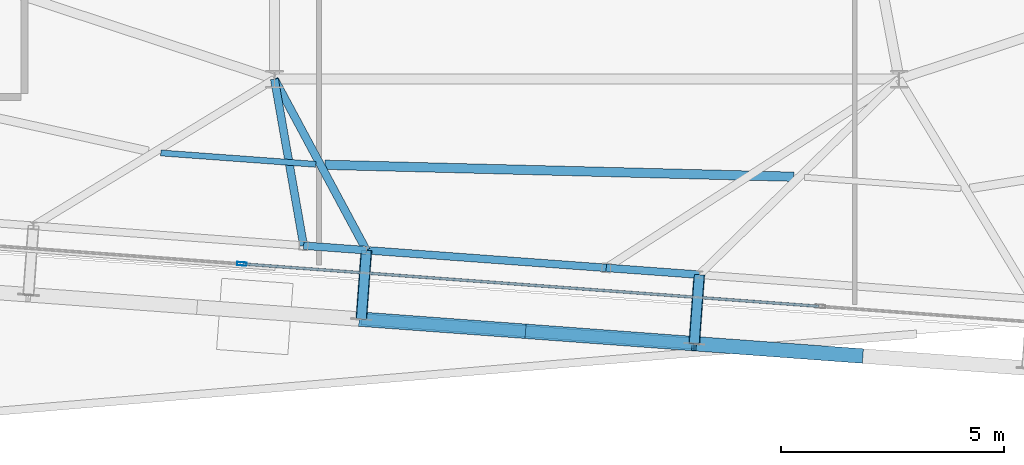
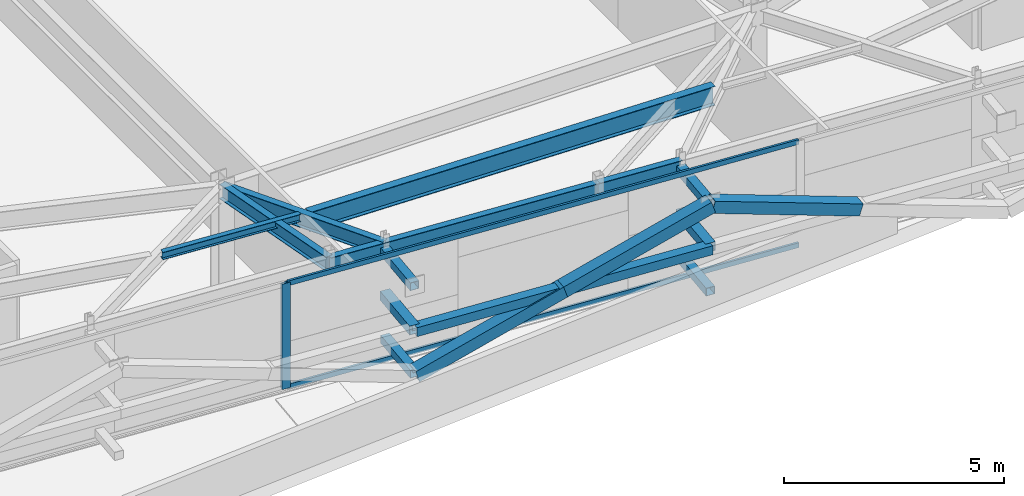
# One storey, part 11 of 37: 13 members, 7 beams, 1 element without a shape of its own.
"""IFC4 building model written with IfcOpenShell, lengths in metres."""

from ifc_helpers import new_model, si_unit, direction, frame, origin, origin_2d, place, context, subcontext, project, spatial, hollow_rectangle, i_section, extrude, source, transform, mapped, material, layer, layer_set, material_profile, profile_set, type_object, element, aggregate, save


model = new_model("IFC4")

# Units and contexts
model_context = context("Model", 3, precision=1e-05, world=origin(), true_north=direction((0.0, 1.0)))
body_context = subcontext(model_context, "Body", "Model", "MODEL_VIEW")
ifc_project = project(units=[si_unit("LENGTHUNIT", "METRE"), si_unit("AREAUNIT", "SQUARE_METRE"), si_unit("VOLUMEUNIT", "CUBIC_METRE"), si_unit("PLANEANGLEUNIT", "RADIAN"), si_unit("MASSUNIT", "GRAM", prefix="KILO")], contexts=[model_context])

# Site, building, storey
site_placement = place(None, origin())
site = spatial("IfcSite", under=ifc_project, at=site_placement, CompositionType="ELEMENT")
building_placement = place(site_placement, origin())
building = spatial("IfcBuilding", under=site, at=building_placement, Name="Taldren Reach Tower", CompositionType="ELEMENT")
storey_placement = place(building_placement, frame((0.0, 0.0, 211.39990234375)))
storey = spatial("IfcBuildingStorey", under=building, at=storey_placement, Name="L64", CompositionType="ELEMENT", Elevation=211.39990234375)

# Members
ifc_material_1 = material(Name="Steel Gr 350 (C350L0)", Category="steel")
ifc_material_profile_1 = material_profile(ifc_material_1, hollow_rectangle(XDim=0.25, YDim=0.25, WallThickness=0.010009765625, at=origin_2d()), Name="250x250x10.0SHS")
ifc_profile_set_1 = profile_set([ifc_material_profile_1], Name="Steel Gr 350 (C350L0)")
member_type_1 = type_object("IfcMemberType", Name="MB-POST250", PredefinedType="POST", material=ifc_profile_set_1)
shared_shape_1 = source(origin(), body_context, "Body", "SweptSolid", [
    extrude(hollow_rectangle(XDim=0.25, YDim=0.25, WallThickness=0.010009765625, at=origin_2d()), origin(), (0.0, 0.0, 1.0), 1.5498046875),
])
member_1_placement = place(storey_placement, frame((30.060546875, 5.364501953125, 1.43505859375), z_axis=(-0.073250797913, -0.997313551801, 0.0), x_axis=(0.997313551801, -0.073250797913, 0.0)))
element("IfcMember", 1, at=member_1_placement, inside=storey, type_object=member_type_1, Name="Exoskeleton mid-tier diaphragm tie B5-S3 L64", PredefinedType="POST", context=body_context, shape_type="MappedRepresentation", body=[
    mapped(shared_shape_1, transform((0.0, 0.0, 0.0), scale=1.0)),
])
shared_shape_2 = source(origin(), body_context, "Body", "SweptSolid", [
    extrude(hollow_rectangle(XDim=0.25, YDim=0.25, WallThickness=0.010009765625, at=origin_2d()), origin(), (0.0, 0.0, 1.0), 1.550048828125),
])
member_2_placement = place(storey_placement, frame((37.5205078125, 4.81689453125, 1.43505859375), z_axis=(-0.07323929162, -0.997314396849, 0.0), x_axis=(0.997314396849, -0.07323929162, 0.0)))
element("IfcMember", 2, at=member_2_placement, inside=storey, type_object=member_type_1, Name="Exoskeleton mid-tier diaphragm tie B5-S4 L64", PredefinedType="POST", context=body_context, shape_type="MappedRepresentation", body=[
    mapped(shared_shape_2, transform((0.0, 0.0, 0.0), scale=1.0)),
])
ifc_material_2 = material(Name="Steel Gr 450 (C450L0)", Category="steel")
ifc_material_profile_2 = material_profile(ifc_material_2, hollow_rectangle(XDim=0.219970703125, YDim=0.219970703125, WallThickness=0.00830078125, at=origin_2d()), Name="220x220x8.2SHS")
ifc_profile_set_2 = profile_set([ifc_material_profile_2], Name="Steel Gr 450 (C450L0)")
member_type_2 = type_object("IfcMemberType", Name="MB-TIE219", PredefinedType="STRUT", material=ifc_profile_set_2)
shared_shape_3 = source(origin(), body_context, "Body", "SweptSolid", [
    extrude(hollow_rectangle(XDim=0.219970703125, YDim=0.219970703125, WallThickness=0.00830078125, at=origin_2d()), origin(), (0.0, 0.0, 1.0), 1.5498046875),
])
for number, where, z_axis, x_axis, name in (
    (3, (30.060546875, 5.364501953125, 2.650146484375), (-0.073250797913, -0.997313551801, 0.0), (0.997313551801, -0.073250797913, 0.0), "Exoskeleton diaphragm tie strut B5-S3 L64"),
    (4, (30.060546875, 5.364501953125, 0.22021484375), (-0.073250797913, -0.997313551801, 0.0), (0.997313551801, -0.073250797913, 0.0), "Exoskeleton base diaphragm tie strut B5-S3 L64"),
):
    element("IfcMember", number, at=place(storey_placement, frame(where, z_axis=z_axis, x_axis=x_axis)), inside=storey, type_object=member_type_2, Name=name, PredefinedType="STRUT", context=body_context, shape_type="MappedRepresentation", body=[
        mapped(shared_shape_3, transform((0.0, 0.0, 0.0), scale=1.0)),
    ])
shared_shape_4 = source(origin(), body_context, "Body", "SweptSolid", [
    extrude(hollow_rectangle(XDim=0.219970703125, YDim=0.219970703125, WallThickness=0.00830078125, at=origin_2d()), origin(), (0.0, 0.0, 1.0), 1.550048828125),
])
for number, where, z_axis, x_axis, name in (
    (5, (37.5205078125, 4.81689453125, 2.650146484375), (-0.07323929162, -0.997314396849, 0.0), (0.997314396849, -0.07323929162, 0.0), "Exoskeleton diaphragm tie strut B5-S4 L64"),
    (6, (37.5205078125, 4.81689453125, 0.22021484375), (-0.07323929162, -0.997314396849, 0.0), (0.997314396849, -0.07323929162, 0.0), "Exoskeleton base diaphragm tie strut B5-S4 L64"),
):
    element("IfcMember", number, at=place(storey_placement, frame(where, z_axis=z_axis, x_axis=x_axis)), inside=storey, type_object=member_type_2, Name=name, PredefinedType="STRUT", context=body_context, shape_type="MappedRepresentation", body=[
        mapped(shared_shape_4, transform((0.0, 0.0, 0.0), scale=1.0)),
    ])

# Beams
ifc_material_3 = material(Name="Steel Gr 350 (350PLUS)", Category="steel")
ifc_material_profile_3 = material_profile(ifc_material_3, i_section(OverallWidth=0.172119140625, OverallDepth=0.35888671875, WebThickness=0.008056640625, FlangeThickness=0.012939453125, at=origin_2d()), Name="360UB56.7")
ifc_profile_set_3 = profile_set([ifc_material_profile_3], Name="Steel Gr 350 (350PLUS)")
beam_type_1 = type_object("IfcBeamType", Name="SP-UB360", PredefinedType="SPANDREL", material=ifc_profile_set_3)
shared_shape_5 = source(origin(), body_context, "Body", "SweptSolid", [
    extrude(i_section(OverallWidth=0.172119140625, OverallDepth=0.35888671875, WebThickness=0.008056640625, FlangeThickness=0.012939453125, at=origin_2d()), origin(), (0.0, 0.0, 1.0), 1.41015625),
])
beam_1_placement = place(storey_placement, frame((28.654296875, 5.4677734375, 2.75048828125), z_axis=(0.997314324946, -0.073240270738, 0.0), x_axis=(0.073240270738, 0.997314324946, 0.0)))
element("IfcBeam", 7, at=beam_1_placement, inside=storey, type_object=beam_type_1, Name="Perimeter spandrel B5 PJ1-S3 L64", PredefinedType="SPANDREL", context=body_context, shape_type="MappedRepresentation", body=[
    mapped(shared_shape_5, transform((0.0, 0.0, 0.0), scale=1.0)),
])
shared_shape_6 = source(origin(), body_context, "Body", "SweptSolid", [
    extrude(i_section(OverallWidth=0.172119140625, OverallDepth=0.35888671875, WebThickness=0.008056640625, FlangeThickness=0.012939453125, at=origin_2d()), origin(), (0.0, 0.0, 1.0), 5.389892578125),
])
beam_2_placement = place(storey_placement, frame((30.060546875, 5.364501953125, 2.75048828125), z_axis=(0.997314149177, -0.073242664148, 0.0), x_axis=(0.073242664148, 0.997314149177, 0.0)))
element("IfcBeam", 8, at=beam_2_placement, inside=storey, type_object=beam_type_1, Name="Perimeter spandrel B5 S3-PJ2 L64", PredefinedType="SPANDREL", context=body_context, shape_type="MappedRepresentation", body=[
    mapped(shared_shape_6, transform((0.0, 0.0, 0.0), scale=1.0)),
])
shared_shape_7 = source(origin(), body_context, "Body", "SweptSolid", [
    extrude(i_section(OverallWidth=0.172119140625, OverallDepth=0.35888671875, WebThickness=0.008056640625, FlangeThickness=0.012939453125, at=origin_2d()), origin(), (0.0, 0.0, 1.0), 2.090087890625),
])
beam_3_placement = place(storey_placement, frame((35.43603515625, 4.9697265625, 2.75048828125), z_axis=(0.997322930253, -0.073122997697, 0.0), x_axis=(0.073122997697, 0.997322930253, 0.0)))
element("IfcBeam", 9, at=beam_3_placement, inside=storey, type_object=beam_type_1, Name="Perimeter spandrel B5 PJ2-S4 L64", PredefinedType="SPANDREL", context=body_context, shape_type="MappedRepresentation", body=[
    mapped(shared_shape_7, transform((0.0, 0.0, 0.0), scale=1.0)),
])
ifc_material_profile_4 = material_profile(ifc_material_3, i_section(OverallWidth=0.177978515625, OverallDepth=0.406005859375, WebThickness=0.0078125, FlangeThickness=0.0126953125, at=origin_2d()), Name="410UB59.7")
ifc_profile_set_4 = profile_set([ifc_material_profile_4], Name="Steel Gr 350 (350PLUS)")
beam_type_2 = type_object("IfcBeamType", Name="BM-UB410", PredefinedType="BEAM", material=ifc_profile_set_4)
shared_shape_8 = source(origin(), body_context, "Body", "SweptSolid", [
    extrude(i_section(OverallWidth=0.177978515625, OverallDepth=0.406005859375, WebThickness=0.0078125, FlangeThickness=0.0126953125, at=origin_2d()), origin(), (0.0, 0.0, 1.0), 3.7890625),
])
beam_4_placement = place(storey_placement, frame((28.0, 9.199951171875, 2.72705078125), z_axis=(0.172678846321, -0.984978180486, 0.0), x_axis=(0.984978180486, 0.172678846321, 0.0)))
element("IfcBeam", 10, at=beam_4_placement, inside=storey, type_object=beam_type_2, Name="Primary floor girder B5-PJ1 L64", PredefinedType="BEAM", context=body_context, shape_type="MappedRepresentation", body=[
    mapped(shared_shape_8, transform((0.0, 0.0, 0.0), scale=1.0)),
])
shared_shape_9 = source(origin(), body_context, "Body", "SweptSolid", [
    extrude(i_section(OverallWidth=0.177978515625, OverallDepth=0.406005859375, WebThickness=0.0078125, FlangeThickness=0.0126953125, at=origin_2d()), origin(), (0.0, 0.0, 1.0), 4.35400390625),
])
beam_5_placement = place(storey_placement, frame((28.0, 9.199951171875, 2.72705078125), z_axis=(0.473263645364, -0.88092083752, 0.0), x_axis=(0.88092083752, 0.473263645364, 0.0)))
element("IfcBeam", 11, at=beam_5_placement, inside=storey, type_object=beam_type_2, Name="Primary floor girder B5-S3 L64", PredefinedType="BEAM", context=body_context, shape_type="MappedRepresentation", body=[
    mapped(shared_shape_9, transform((0.0, 0.0, 0.0), scale=1.0)),
])
ifc_material_4 = material(Name="Steel Gr 300 (300PLUS, 300 MPa)", Category="steel")
ifc_material_profile_5 = material_profile(ifc_material_4, i_section(OverallWidth=0.134033203125, OverallDepth=0.20703125, WebThickness=0.00634765625, FlangeThickness=0.009521484375, at=origin_2d()), Name="200UB29.8")
ifc_profile_set_5 = profile_set([ifc_material_profile_5], Name="Steel Gr 300 (300PLUS, 300 MPa)")
beam_type_3 = type_object("IfcBeamType", Name="JS-UB200", PredefinedType="JOIST", material=ifc_profile_set_5)
shared_shape_10 = source(origin(), body_context, "Body", "SweptSolid", [
    extrude(i_section(OverallWidth=0.134033203125, OverallDepth=0.20703125, WebThickness=0.00634765625, FlangeThickness=0.009521484375, at=origin_2d()), origin(), (0.0, 0.0, 1.0), 3.481201171875),
])
beam_6_placement = place(storey_placement, frame((25.453125, 7.544921875, 2.82666015625), z_axis=(0.997316141537, -0.073215529974, 0.0), x_axis=(0.073215529974, 0.997316141537, 0.0)))
element("IfcBeam", 12, at=beam_6_placement, inside=storey, type_object=beam_type_3, Name="Secondary floor joist B5 J2 L64", PredefinedType="JOIST", context=body_context, shape_type="MappedRepresentation", body=[
    mapped(shared_shape_10, transform((0.0, 0.0, 0.0), scale=1.0)),
])
ifc_material_profile_6 = material_profile(ifc_material_3, i_section(OverallWidth=0.208984375, OverallDepth=0.532958984375, WebThickness=0.01025390625, FlangeThickness=0.015625, at=origin_2d()), Name="530UB92.4")
ifc_profile_set_6 = profile_set([ifc_material_profile_6], Name="Steel Gr 350 (350PLUS)")
beam_type_4 = type_object("IfcBeamType", Name="BM-UB530A", PredefinedType="BEAM", material=ifc_profile_set_6)
shared_shape_11 = source(origin(), body_context, "Body", "SweptSolid", [
    extrude(i_section(OverallWidth=0.208984375, OverallDepth=0.532958984375, WebThickness=0.01025390625, FlangeThickness=0.015625, at=origin_2d()), origin(), (0.0, 0.0, 1.0), 10.507080078125),
])
beam_7_placement = place(storey_placement, frame((29.132568359375, 7.27978515625, 2.66357421875), z_axis=(0.999673899449, -0.025536146143, 0.0), x_axis=(0.025536146143, 0.999673899449, 0.0)))
element("IfcBeam", 13, at=beam_7_placement, inside=storey, type_object=beam_type_4, Name="Secondary floor beam B5 J3 L64", PredefinedType="BEAM", context=body_context, shape_type="MappedRepresentation", body=[
    mapped(shared_shape_11, transform((0.0, 0.0, 0.0), scale=1.0)),
])

# Members
ifc_material_profile_7 = material_profile(ifc_material_2, hollow_rectangle(XDim=0.324951171875, YDim=0.324951171875, WallThickness=0.0126953125, at=origin_2d()), Name="325x325x12.7SHS")
ifc_profile_set_7 = profile_set([ifc_material_profile_7], Name="Steel Gr 450 (C450L0)")
member_type_3 = type_object("IfcMemberType", Name="MB-BR324", PredefinedType="BRACE", material=ifc_profile_set_7)
shared_shape_12 = source(origin(), body_context, "Body", "SweptSolid", [
    extrude(hollow_rectangle(XDim=0.324951171875, YDim=0.324951171875, WallThickness=0.0126953125, at=origin_2d()), origin(), (0.0, 0.0, 1.0), 3.932373046875),
])
for number, where, z_axis, x_axis, name in (
    (14, (29.947021484375, 3.81884765625, 0.22021484375), (0.948529326954, -0.06965898055, 0.308933232813), (0.07324169103, 0.997314220642, 0.0), "Exoskeleton Diagrid Brace B5-S3 L64"),
    (15, (33.677001953125, 3.544921875, 1.43505859375), (0.948511132845, -0.069657644394, 0.308989390507), (0.07324169103, 0.997314220642, 0.0), "Exoskeleton Diagrid Brace B5-S3 L64"),
):
    element("IfcMember", number, at=place(storey_placement, frame(where, z_axis=z_axis, x_axis=x_axis)), inside=storey, type_object=member_type_3, Name=name, PredefinedType="BRACE", context=body_context, shape_type="MappedRepresentation", body=[
        mapped(shared_shape_12, transform((0.0, 0.0, 0.0), scale=1.0)),
    ])
shared_shape_13 = source(origin(), body_context, "Body", "SweptSolid", [
    extrude(hollow_rectangle(XDim=0.25, YDim=0.25, WallThickness=0.010009765625, at=origin_2d()), origin(), (0.0, 0.0, 1.0), 7.47998046875),
])
member_3_placement = place(storey_placement, frame((29.947021484375, 3.81884765625, 1.43505859375), z_axis=(0.997314220642, -0.07324169103, 0.0), x_axis=(0.07324169103, 0.997314220642, 0.0)))
element("IfcMember", 16, at=member_3_placement, inside=storey, type_object=member_type_1, Name="Exoskeleton mid-height ring chord B5-S3 L64", PredefinedType="POST", context=body_context, shape_type="MappedRepresentation", body=[
    mapped(shared_shape_13, transform((0.0, 0.0, 0.0), scale=1.0)),
])
shared_shape_14 = source(origin(), body_context, "Body", "SweptSolid", [
    extrude(hollow_rectangle(XDim=0.324951171875, YDim=0.324951171875, WallThickness=0.0126953125, at=origin_2d()), origin(), (0.0, 0.0, 1.0), 3.93212890625),
])
member_4_placement = place(storey_placement, frame((41.13671875, 2.9970703125, 1.43505859375), z_axis=(-0.94850490367, 0.069661746542, 0.309007586933), x_axis=(-0.073246459555, -0.997313870435, 0.0)))
element("IfcMember", 17, at=member_4_placement, inside=storey, type_object=member_type_3, Name="Exoskeleton Diagrid Brace B5-S4 L64", PredefinedType="BRACE", context=body_context, shape_type="MappedRepresentation", body=[
    mapped(shared_shape_14, transform((0.0, 0.0, 0.0), scale=1.0)),
])

# Curtain wall, members
ifc_material_5 = material(Name="Aluminium and Low-E Glass Unitised System", Category="aluminium")
ifc_layer = layer(ifc_material_5, 0.159912109375)
ifc_layer_set = layer_set([ifc_layer], Name="Aluminium and Low-E Glass Unitised System")
curtain_wall_type = type_object("IfcCurtainWallType", Name="CW-SYS-6", PredefinedType="NOTDEFINED", material=ifc_layer_set)
curtain_wall_placement = place(storey_placement, origin())
curtain_wall = element("IfcCurtainWall", 18, at=curtain_wall_placement, inside=storey, type_object=curtain_wall_type, Name="Unitised curtain wall CW-L64-S", PredefinedType="NOTDEFINED")
ifc_material_6 = material(Name="Anodised Aluminium 6063-T6", Category="aluminium")
ifc_material_profile_8 = material_profile(ifc_material_6, hollow_rectangle(XDim=0.074951171875, YDim=0.2099609375, WallThickness=0.00439453125, at=origin_2d()), Name="ALU-210x75x4.5RHS")
ifc_profile_set_8 = profile_set([ifc_material_profile_8], Name="Anodised Aluminium 6063-T6")
member_type_4 = type_object("IfcMemberType", Name="CW-MUL-200", PredefinedType="MULLION", material=ifc_profile_set_8)
shared_shape_15 = source(origin(), body_context, "Body", "SweptSolid", [
    extrude(hollow_rectangle(XDim=0.074951171875, YDim=0.2099609375, WallThickness=0.00439453125, at=origin_2d()), origin(), (0.0, 0.0, 1.0), 2.93017578125),
])
member_5_placement = place(storey_placement, frame((27.2705078125, 5.05810546875, 0.0), z_axis=(0.0, 0.0, 1.0), x_axis=(0.073238213716, 0.997314476006, 0.0)))
member_5 = element("IfcMember", 19, at=member_5_placement, type_object=member_type_4, Name="CW-6 mullion 2", PredefinedType="MULLION", context=body_context, shape_type="MappedRepresentation", body=[
    mapped(shared_shape_15, transform((0.0, 0.0, 0.0), scale=1.0)),
])
ifc_material_profile_9 = material_profile(ifc_material_6, hollow_rectangle(XDim=0.06005859375, YDim=0.135009765625, WallThickness=0.00341796875, at=origin_2d()), Name="ALU-135x60x3.5RHS")
ifc_profile_set_9 = profile_set([ifc_material_profile_9], Name="Anodised Aluminium 6063-T6")
member_type_5 = type_object("IfcMemberType", Name="CW-TRN-150", PredefinedType="USERDEFINED", material=ifc_profile_set_9)
shared_shape_16 = source(origin(), body_context, "Body", "SweptSolid", [
    extrude(hollow_rectangle(XDim=0.06005859375, YDim=0.135009765625, WallThickness=0.00341796875, at=origin_2d()), origin(), (0.0, 0.0, 1.0), 12.925048828125),
])
member_6_placement = place(storey_placement, frame((27.307861328125, 5.055419921875, 0.030029296875), z_axis=(0.99731353371, -0.073251044219, 0.0), x_axis=(0.073251044219, 0.99731353371, 0.0)))
member_6 = element("IfcMember", 20, at=member_6_placement, type_object=member_type_5, Name="CW-6 transom 2.1", ObjectType="TRANSOM", PredefinedType="USERDEFINED", context=body_context, shape_type="MappedRepresentation", body=[
    mapped(shared_shape_16, transform((0.0, 0.0, 0.0), scale=1.0)),
])
member_7_placement = place(storey_placement, frame((27.307861328125, 5.055419921875, 2.900146484375), z_axis=(0.99731353371, -0.073251044219, 0.0), x_axis=(0.073251044219, 0.99731353371, 0.0)))
member_7 = element("IfcMember", 21, at=member_7_placement, type_object=member_type_5, Name="CW-6 transom 2.2", ObjectType="TRANSOM", PredefinedType="USERDEFINED", context=body_context, shape_type="MappedRepresentation", body=[
    mapped(shared_shape_16, transform((0.0, 0.0, 0.0), scale=1.0)),
])
aggregate(curtain_wall, [member_5, member_6, member_7])

save(model, "model.ifc")
